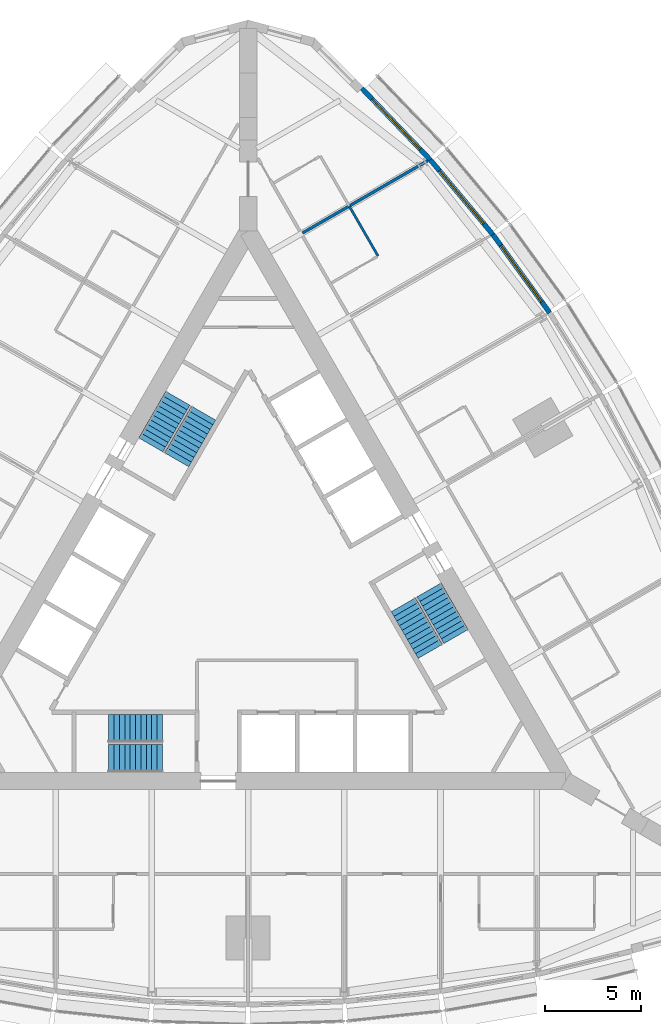
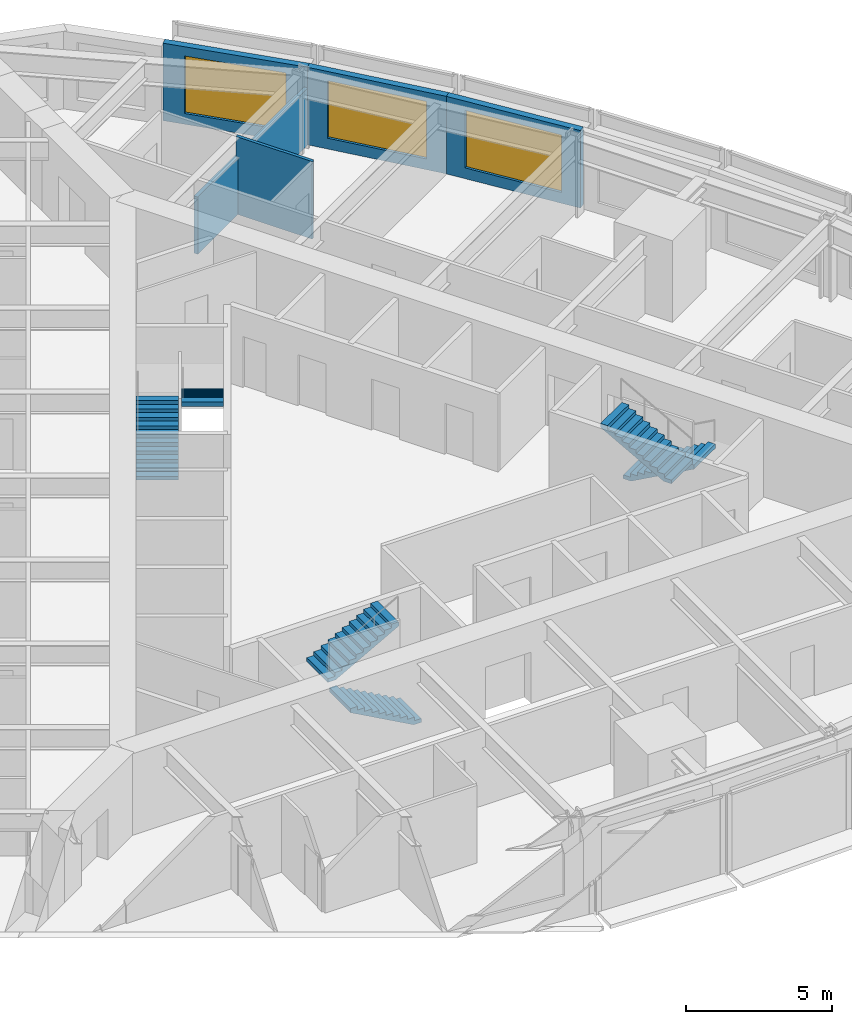
# One storey, part 13 of 14: 6 stair flights, 5 walls, 3 windows, 3 openings, 3 elements without a shape of their own.
"""IFC4 building model written with IfcOpenShell, lengths in metres."""

from ifc_helpers import new_model, si_unit, direction, frame, frame_2d, origin, place, context, subcontext, project, spatial, polyline, rectangle, outline, extrude, material, layer, layer_set, type_object, element, fill, aggregate, save


model = new_model("IFC4")

# Units and contexts
model_context = context("Model", 3, precision=1e-05, world=origin(), true_north=direction((0.0, 1.0)))
body_context = subcontext(model_context, "Body", "Model", "MODEL_VIEW")
ifc_project = project(units=[si_unit("LENGTHUNIT", "METRE"), si_unit("AREAUNIT", "SQUARE_METRE"), si_unit("VOLUMEUNIT", "CUBIC_METRE"), si_unit("PLANEANGLEUNIT", "RADIAN"), si_unit("MASSUNIT", "GRAM", prefix="KILO")], contexts=[model_context])

# Site, building, storey
site_placement = place(None, origin())
site = spatial("IfcSite", under=ifc_project, at=site_placement, CompositionType="ELEMENT")
building_placement = place(site_placement, origin())
building = spatial("IfcBuilding", under=site, at=building_placement, Name="Trikona Tower", CompositionType="ELEMENT")
storey_placement = place(building_placement, frame((0.0, 0.0, 182.699951171875)))
storey = spatial("IfcBuildingStorey", under=building, at=storey_placement, Name="L49", CompositionType="ELEMENT", Elevation=182.699951171875)

# Wall
ifc_material_1 = material(Name="Metal stud and cement board", Category="gypsum")
ifc_layer_1 = layer(ifc_material_1, 0.1201171875)
ifc_layer_set_1 = layer_set([ifc_layer_1], Name="Bathroom wall 120")
wall_type_1 = type_object("IfcWallType", Name="Bathroom wall 120", PredefinedType="PLUMBINGWALL", material=ifc_layer_set_1)
wall_1_placement = place(storey_placement, frame((6.75341796875, 17.75537109375, 0.0), z_axis=(0.0, 0.0, 1.0), x_axis=(-0.499990139034, 0.866031096941, 0.0)))
element("IfcWall", 1, at=wall_1_placement, inside=storey, type_object=wall_type_1, Name="Bathroom wall 4907.2", PredefinedType="PLUMBINGWALL", context=body_context, shape_type="SweptSolid", body=[
    extrude(rectangle(XDim=3.0, YDim=0.1201171875, at=frame_2d((1.5, 0.0))), origin(), (0.0, 0.0, 1.0), 3.235107421875),
])

# Wall, opening, window
ifc_material_2 = material(Name="Insulated precast concrete spandrel panel", Category="concrete")
ifc_layer_2 = layer(ifc_material_2, 0.25)
ifc_layer_set_2 = layer_set([ifc_layer_2], Name="Inner skin wall 250")
wall_type_2 = type_object("IfcWallType", Name="Inner skin wall 250", PredefinedType="STANDARD", material=ifc_layer_set_2)
wall_2_placement = place(storey_placement, frame((15.672119140625, 14.806640625, 0.0), z_axis=(0.0, 0.0, 1.0), x_axis=(-0.587669188412, 0.809101307001, 0.0)))
wall_2 = element("IfcWall", 2, at=wall_2_placement, inside=storey, type_object=wall_type_2, Name="External wall L49-17", PredefinedType="STANDARD", context=body_context, shape_type="SweptSolid", body=[
    extrude(rectangle(XDim=5.027587890625, YDim=0.25, at=frame_2d((2.513671875, 0.0))), origin(), (0.0, 0.0, 1.0), 3.235107421875),
])
opening_1_placement = place(wall_2_placement, frame((0.7138671875, 0.0, 0.449951171875)))
opening_1 = element("IfcOpeningElement", 3, at=opening_1_placement, cuts=wall_2, Name="Opening W3624", PredefinedType="OPENING", context=body_context, shape_type="SweptSolid", body=[
    extrude(rectangle(XDim=3.60009765625, YDim=2.39990234375, at=frame_2d((1.800048828125, 1.199951171875))), frame((0.0, 0.135009765625, 0.0), z_axis=(0.0, -1.0, 0.0), x_axis=(1.0, 0.0, 0.0)), (0.0, 0.0, 1.0), 0.27001953125),
])
ifc_material_3 = material(Name="Aluminium-framed double glazing", Category="aluminium")
window_type = type_object("IfcWindowType", Name="Window 3600x2400", PartitioningType="SINGLE_PANEL", PredefinedType="WINDOW", material=ifc_material_3)
window_1_placement = place(opening_1_placement, origin())
window_1 = element("IfcWindow", 4, at=window_1_placement, inside=storey, type_object=window_type, Name="Window 4907", OverallHeight=2.39990234375, OverallWidth=3.60009765625, PartitioningType="SINGLE_PANEL", PredefinedType="WINDOW", context=body_context, shape_type="SweptSolid", body=[
    extrude(rectangle(XDim=3.60009765625, YDim=2.39990234375, at=frame_2d((1.800048828125, 1.199951171875))), frame((0.0, 0.030029296875, 0.0), z_axis=(0.0, -1.0, 0.0), x_axis=(1.0, 0.0, 0.0)), (0.0, 0.0, 1.0), 0.06005859375),
])
fill(opening_1, window_1)

wall_3_placement = place(storey_placement, frame((12.722900390625, 18.86767578125, 0.0), z_axis=(0.0, 0.0, 1.0), x_axis=(-0.641810386606, 0.766863369607, 0.0)))
wall_3 = element("IfcWall", 5, at=wall_3_placement, inside=storey, type_object=wall_type_2, Name="External wall L49-18", PredefinedType="STANDARD", context=body_context, shape_type="SweptSolid", body=[
    extrude(rectangle(XDim=5.075927734375, YDim=0.25, at=frame_2d((2.5380859375, 0.0))), origin(), (0.0, 0.0, 1.0), 3.235107421875),
])
opening_2_placement = place(wall_3_placement, frame((0.738037109375, 0.0, 0.449951171875)))
opening_2 = element("IfcOpeningElement", 6, at=opening_2_placement, cuts=wall_3, Name="Opening W3624", PredefinedType="OPENING", context=body_context, shape_type="SweptSolid", body=[
    extrude(rectangle(XDim=3.60009765625, YDim=2.39990234375, at=frame_2d((1.800048828125, 1.199951171875))), frame((0.0, 0.135009765625, 0.0), z_axis=(0.0, -1.0, 0.0), x_axis=(1.0, 0.0, 0.0)), (0.0, 0.0, 1.0), 0.27001953125),
])
window_2_placement = place(opening_2_placement, origin())
window_2 = element("IfcWindow", 7, at=window_2_placement, inside=storey, type_object=window_type, Name="Window 4907.2", OverallHeight=2.39990234375, OverallWidth=3.60009765625, PartitioningType="SINGLE_PANEL", PredefinedType="WINDOW", context=body_context, shape_type="SweptSolid", body=[
    extrude(rectangle(XDim=3.60009765625, YDim=2.39990234375, at=frame_2d((1.800048828125, 1.199951171875))), frame((0.0, 0.030029296875, 0.0), z_axis=(0.0, -1.0, 0.0), x_axis=(1.0, 0.0, 0.0)), (0.0, 0.0, 1.0), 0.06005859375),
])
fill(opening_2, window_2)

wall_4_placement = place(storey_placement, frame((9.470703125, 22.75390625, 0.0), z_axis=(0.0, 0.0, 1.0), x_axis=(-0.691719937936, 0.722165858693, 0.0)))
wall_4 = element("IfcWall", 8, at=wall_4_placement, inside=storey, type_object=wall_type_2, Name="External wall L49-19", PredefinedType="STANDARD", context=body_context, shape_type="SweptSolid", body=[
    extrude(rectangle(XDim=5.148193359375, YDim=0.25, at=frame_2d((2.57421875, 0.0))), origin(), (0.0, 0.0, 1.0), 3.235107421875),
])
opening_3_placement = place(wall_4_placement, frame((0.77392578125, 0.0, 0.449951171875)))
opening_3 = element("IfcOpeningElement", 9, at=opening_3_placement, cuts=wall_4, Name="Opening W3624", PredefinedType="OPENING", context=body_context, shape_type="SweptSolid", body=[
    extrude(rectangle(XDim=3.60009765625, YDim=2.39990234375, at=frame_2d((1.800048828125, 1.199951171875))), frame((0.0, 0.135009765625, 0.0), z_axis=(0.0, -1.0, 0.0), x_axis=(1.0, 0.0, 0.0)), (0.0, 0.0, 1.0), 0.27001953125),
])
window_3_placement = place(opening_3_placement, origin())
window_3 = element("IfcWindow", 10, at=window_3_placement, inside=storey, type_object=window_type, Name="Window 4908", OverallHeight=2.39990234375, OverallWidth=3.60009765625, PartitioningType="SINGLE_PANEL", PredefinedType="WINDOW", context=body_context, shape_type="SweptSolid", body=[
    extrude(rectangle(XDim=3.60009765625, YDim=2.39990234375, at=frame_2d((1.800048828125, 1.199951171875))), frame((0.0, 0.030029296875, 0.0), z_axis=(0.0, -1.0, 0.0), x_axis=(1.0, 0.0, 0.0)), (0.0, 0.0, 1.0), 0.06005859375),
])
fill(opening_3, window_3)

# Wall
ifc_material_4 = material(Name="Metal stud and gypsum board, 1-hour acoustic", Category="gypsum")
ifc_layer_3 = layer(ifc_material_4, 0.14990234375)
ifc_layer_set_3 = layer_set([ifc_layer_3], Name="Party wall 150")
wall_type_3 = type_object("IfcWallType", Name="Party wall 150", PredefinedType="PARTITIONING", material=ifc_layer_set_3)
wall_5_placement = place(storey_placement, frame((2.82861328125, 18.95361328125, 0.0), z_axis=(0.0, 0.0, 1.0), x_axis=(0.866015739374, 0.500016738876, 0.0)))
element("IfcWall", 11, at=wall_5_placement, inside=storey, type_object=wall_type_3, Name="Partition L49 F2 u15", PredefinedType="PARTITIONING", context=body_context, shape_type="SweptSolid", body=[
    extrude(rectangle(XDim=7.516357421875, YDim=0.14990234375, at=frame_2d((3.75830078125, 0.0))), origin(), (0.0, 0.0, 1.0), 2.38916015625),
])

# Stair, stair flights
ifc_material_5 = material(Name="Concrete f'c 5000 psi", Category="concrete")
stair_type = type_object("IfcStairType", Name="Core stair", PredefinedType="HALF_TURN_STAIR", material=ifc_material_5)
stair_1_placement = place(storey_placement, origin())
stair_1 = element("IfcStair", 12, at=stair_1_placement, inside=storey, type_object=stair_type, Name="Stair A L49", PredefinedType="HALF_TURN_STAIR")
ifc_material_6 = material(Name="Concrete f'c 5000 psi", Category="concrete")
stair_flight_type = type_object("IfcStairFlightType", Name="Core stair flight 1450", PredefinedType="STRAIGHT", material=ifc_material_6)
stair_flight_1_placement = place(storey_placement, frame((-4.449951171875, -8.351318359375, 0.0), z_axis=(0.0, 0.0, 1.0), x_axis=(-1.0, 0.0, 0.0)))
stair_flight_1 = element("IfcStairFlight", 13, at=stair_flight_1_placement, type_object=stair_flight_type, Name="ST-A flight 1", NumberOfRisers=11, NumberOfTreads=10, PredefinedType="STRAIGHT", RiserHeight=0.154545, TreadLength=0.28, context=body_context, shape_type="SweptSolid", body=[
    extrude(outline(polyline([(0.0, 0.0), (0.0, 0.154541015625), (0.280029296875, 0.154541015625), (0.280029296875, 0.30908203125), (0.56005859375, 0.30908203125), (0.56005859375, 0.463623046875), (0.840087890625, 0.463623046875), (0.840087890625, 0.6181640625), (1.1201171875, 0.6181640625), (1.1201171875, 0.772705078125), (1.39990234375, 0.772705078125), (1.39990234375, 0.92724609375), (1.679931640625, 0.92724609375), (1.679931640625, 1.081787109375), (1.9599609375, 1.081787109375), (1.9599609375, 1.236328125), (2.239990234375, 1.236328125), (2.239990234375, 1.390869140625), (2.52001953125, 1.390869140625), (2.52001953125, 1.54541015625), (2.800048828125, 1.54541015625), (2.800048828125, 1.699951171875), (2.800048828125, 1.374267578125), (0.310302734375, 0.0), (0.0, 0.0)])), frame((0.0, 0.72509765625, 0.0), z_axis=(0.0, -1.0, 0.0), x_axis=(1.0, 0.0, 0.0)), (0.0, 0.0, 1.0), 1.449951171875),
])
stair_flight_2_placement = place(storey_placement, frame((-7.25, -6.80126953125, 1.699951171875), z_axis=(0.0, 0.0, 1.0), x_axis=(1.0, 0.0, 0.0)))
stair_flight_2 = element("IfcStairFlight", 14, at=stair_flight_2_placement, type_object=stair_flight_type, Name="ST-A flight 2", NumberOfRisers=11, NumberOfTreads=10, PredefinedType="STRAIGHT", RiserHeight=0.154545, TreadLength=0.28, context=body_context, shape_type="SweptSolid", body=[
    extrude(outline(polyline([(0.0, 0.0), (0.0, 0.154541015625), (0.280029296875, 0.154541015625), (0.280029296875, 0.30908203125), (0.56005859375, 0.30908203125), (0.56005859375, 0.463623046875), (0.840087890625, 0.463623046875), (0.840087890625, 0.6181640625), (1.1201171875, 0.6181640625), (1.1201171875, 0.772705078125), (1.39990234375, 0.772705078125), (1.39990234375, 0.92724609375), (1.679931640625, 0.92724609375), (1.679931640625, 1.081787109375), (1.9599609375, 1.081787109375), (1.9599609375, 1.236328125), (2.239990234375, 1.236328125), (2.239990234375, 1.390869140625), (2.52001953125, 1.390869140625), (2.52001953125, 1.54541015625), (2.800048828125, 1.54541015625), (2.800048828125, 1.699951171875), (2.800048828125, 1.374267578125), (0.310302734375, 0.0), (0.0, 0.0)])), frame((0.0, 0.72509765625, 0.0), z_axis=(0.0, -1.0, 0.0), x_axis=(1.0, 0.0, 0.0)), (0.0, 0.0, 1.0), 1.449951171875),
])
aggregate(stair_1, [stair_flight_1, stair_flight_2])

stair_2_placement = place(storey_placement, origin())
stair_2 = element("IfcStair", 15, at=stair_2_placement, inside=storey, type_object=stair_type, Name="Stair B L49", PredefinedType="HALF_TURN_STAIR")
stair_flight_3_placement = place(storey_placement, frame((9.407470703125, 0.408447265625, 0.0), z_axis=(0.0, 0.0, 1.0), x_axis=(0.5, -0.866025403784, 0.0)))
stair_flight_3 = element("IfcStairFlight", 16, at=stair_flight_3_placement, type_object=stair_flight_type, Name="ST-B flight 1", NumberOfRisers=11, NumberOfTreads=10, PredefinedType="STRAIGHT", RiserHeight=0.154545, TreadLength=0.28, context=body_context, shape_type="SweptSolid", body=[
    extrude(outline(polyline([(0.0, 0.0), (0.0, 0.154541015625), (0.280029296875, 0.154541015625), (0.280029296875, 0.30908203125), (0.56005859375, 0.30908203125), (0.56005859375, 0.463623046875), (0.840087890625, 0.463623046875), (0.840087890625, 0.6181640625), (1.1201171875, 0.6181640625), (1.1201171875, 0.772705078125), (1.39990234375, 0.772705078125), (1.39990234375, 0.92724609375), (1.679931640625, 0.92724609375), (1.679931640625, 1.081787109375), (1.9599609375, 1.081787109375), (1.9599609375, 1.236328125), (2.239990234375, 1.236328125), (2.239990234375, 1.390869140625), (2.52001953125, 1.390869140625), (2.52001953125, 1.54541015625), (2.800048828125, 1.54541015625), (2.800048828125, 1.699951171875), (2.800048828125, 1.374267578125), (0.310302734375, 0.0), (0.0, 0.0)])), frame((0.0, 0.72509765625, 0.0), z_axis=(0.0, -1.0, 0.0), x_axis=(1.0, 0.0, 0.0)), (0.0, 0.0, 1.0), 1.449951171875),
])
stair_flight_4_placement = place(storey_placement, frame((9.465087890625, -2.79150390625, 1.699951171875), z_axis=(0.0, 0.0, 1.0), x_axis=(-0.5, 0.866025403784, 0.0)))
stair_flight_4 = element("IfcStairFlight", 17, at=stair_flight_4_placement, type_object=stair_flight_type, Name="ST-B flight 2", NumberOfRisers=11, NumberOfTreads=10, PredefinedType="STRAIGHT", RiserHeight=0.154545, TreadLength=0.28, context=body_context, shape_type="SweptSolid", body=[
    extrude(outline(polyline([(0.0, 0.0), (0.0, 0.154541015625), (0.280029296875, 0.154541015625), (0.280029296875, 0.30908203125), (0.56005859375, 0.30908203125), (0.56005859375, 0.463623046875), (0.840087890625, 0.463623046875), (0.840087890625, 0.6181640625), (1.1201171875, 0.6181640625), (1.1201171875, 0.772705078125), (1.39990234375, 0.772705078125), (1.39990234375, 0.92724609375), (1.679931640625, 0.92724609375), (1.679931640625, 1.081787109375), (1.9599609375, 1.081787109375), (1.9599609375, 1.236328125), (2.239990234375, 1.236328125), (2.239990234375, 1.390869140625), (2.52001953125, 1.390869140625), (2.52001953125, 1.54541015625), (2.800048828125, 1.54541015625), (2.800048828125, 1.699951171875), (2.800048828125, 1.374267578125), (0.310302734375, 0.0), (0.0, 0.0)])), frame((0.0, 0.72509765625, 0.0), z_axis=(0.0, -1.0, 0.0), x_axis=(1.0, 0.0, 0.0)), (0.0, 0.0, 1.0), 1.449951171875),
])
aggregate(stair_2, [stair_flight_3, stair_flight_4])

stair_3_placement = place(storey_placement, origin())
stair_3 = element("IfcStair", 18, at=stair_3_placement, inside=storey, type_object=stair_type, Name="Stair C L49", PredefinedType="HALF_TURN_STAIR")
stair_flight_5_placement = place(storey_placement, frame((-5.057373046875, 7.94287109375, 0.0), z_axis=(0.0, 0.0, 1.0), x_axis=(0.5, 0.866025403784, 0.0)))
stair_flight_5 = element("IfcStairFlight", 19, at=stair_flight_5_placement, type_object=stair_flight_type, Name="ST-C flight 1", NumberOfRisers=11, NumberOfTreads=10, PredefinedType="STRAIGHT", RiserHeight=0.154545, TreadLength=0.28, context=body_context, shape_type="SweptSolid", body=[
    extrude(outline(polyline([(0.0, 0.0), (0.0, 0.154541015625), (0.280029296875, 0.154541015625), (0.280029296875, 0.30908203125), (0.56005859375, 0.30908203125), (0.56005859375, 0.463623046875), (0.840087890625, 0.463623046875), (0.840087890625, 0.6181640625), (1.1201171875, 0.6181640625), (1.1201171875, 0.772705078125), (1.39990234375, 0.772705078125), (1.39990234375, 0.92724609375), (1.679931640625, 0.92724609375), (1.679931640625, 1.081787109375), (1.9599609375, 1.081787109375), (1.9599609375, 1.236328125), (2.239990234375, 1.236328125), (2.239990234375, 1.390869140625), (2.52001953125, 1.390869140625), (2.52001953125, 1.54541015625), (2.800048828125, 1.54541015625), (2.800048828125, 1.699951171875), (2.800048828125, 1.374267578125), (0.310302734375, 0.0), (0.0, 0.0)])), frame((0.0, 0.72509765625, 0.0), z_axis=(0.0, -1.0, 0.0), x_axis=(1.0, 0.0, 0.0)), (0.0, 0.0, 1.0), 1.449951171875),
])
stair_flight_6_placement = place(storey_placement, frame((-2.315185546875, 9.5927734375, 1.699951171875), z_axis=(0.0, 0.0, 1.0), x_axis=(-0.5, -0.866025403784, 0.0)))
stair_flight_6 = element("IfcStairFlight", 20, at=stair_flight_6_placement, type_object=stair_flight_type, Name="ST-C flight 2", NumberOfRisers=11, NumberOfTreads=10, PredefinedType="STRAIGHT", RiserHeight=0.154545, TreadLength=0.28, context=body_context, shape_type="SweptSolid", body=[
    extrude(outline(polyline([(0.0, 0.0), (0.0, 0.154541015625), (0.280029296875, 0.154541015625), (0.280029296875, 0.30908203125), (0.56005859375, 0.30908203125), (0.56005859375, 0.463623046875), (0.840087890625, 0.463623046875), (0.840087890625, 0.6181640625), (1.1201171875, 0.6181640625), (1.1201171875, 0.772705078125), (1.39990234375, 0.772705078125), (1.39990234375, 0.92724609375), (1.679931640625, 0.92724609375), (1.679931640625, 1.081787109375), (1.9599609375, 1.081787109375), (1.9599609375, 1.236328125), (2.239990234375, 1.236328125), (2.239990234375, 1.390869140625), (2.52001953125, 1.390869140625), (2.52001953125, 1.54541015625), (2.800048828125, 1.54541015625), (2.800048828125, 1.699951171875), (2.800048828125, 1.374267578125), (0.310302734375, 0.0), (0.0, 0.0)])), frame((0.0, 0.72509765625, 0.0), z_axis=(0.0, -1.0, 0.0), x_axis=(1.0, 0.0, 0.0)), (0.0, 0.0, 1.0), 1.449951171875),
])
aggregate(stair_3, [stair_flight_5, stair_flight_6])

save(model, "model.ifc")
